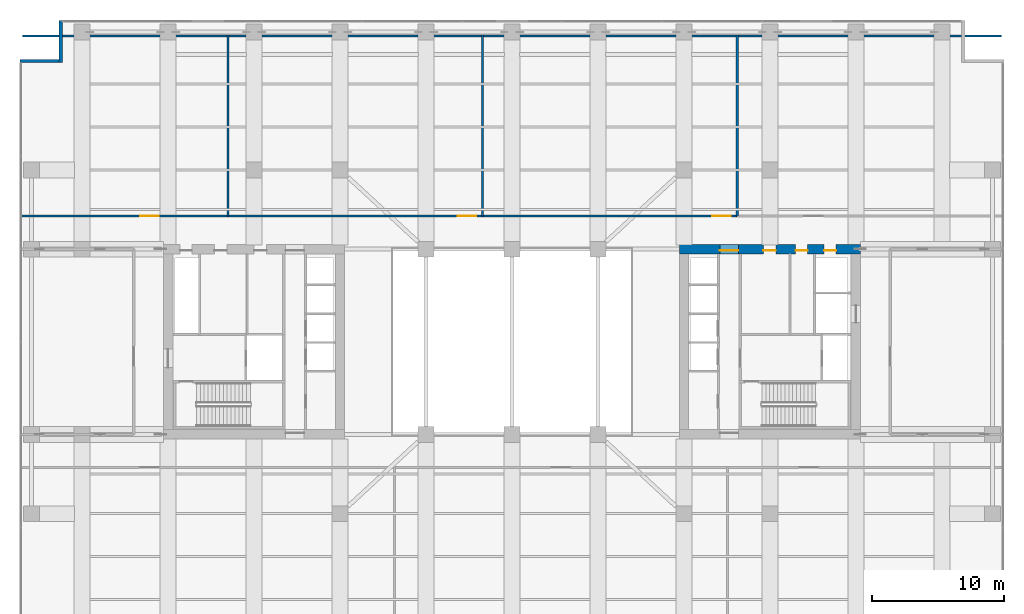
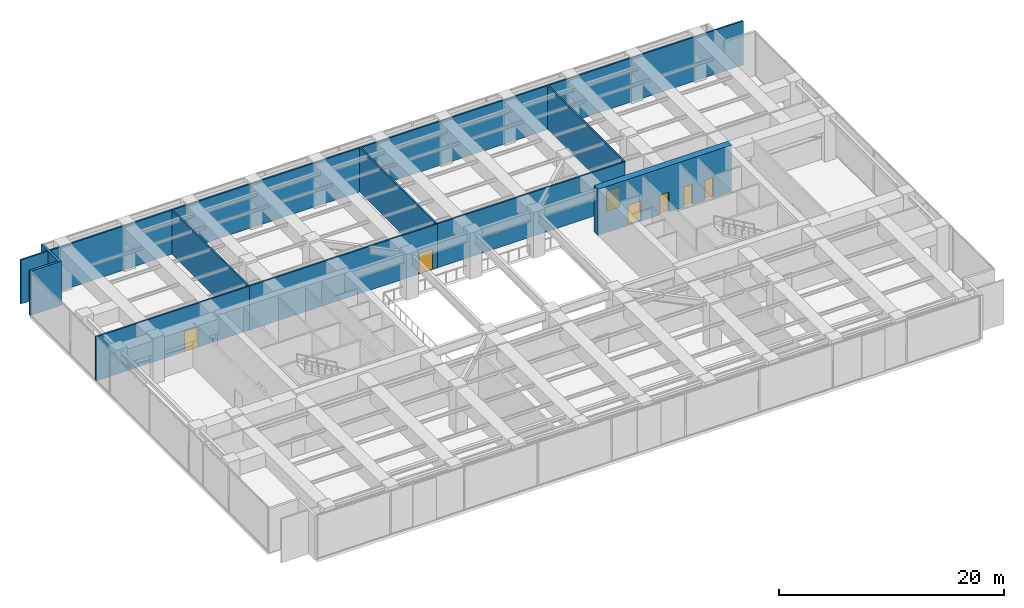
# One storey, part 23 of 28: 10 walls, 7 doors, 7 openings.
"""IFC4 building model written with IfcOpenShell, lengths in metres."""

from ifc_helpers import new_model, si_unit, direction, frame, frame_2d, origin, place, context, subcontext, project, spatial, rectangle, extrude, material, layer, layer_set, type_object, element, fill, save


model = new_model("IFC4")

# Units and contexts
model_context = context("Model", 3, precision=1e-05, world=origin(), true_north=direction((0.0, 1.0)))
body_context = subcontext(model_context, "Body", "Model", "MODEL_VIEW")
ifc_project = project(units=[si_unit("LENGTHUNIT", "METRE"), si_unit("AREAUNIT", "SQUARE_METRE"), si_unit("VOLUMEUNIT", "CUBIC_METRE"), si_unit("PLANEANGLEUNIT", "RADIAN"), si_unit("MASSUNIT", "GRAM", prefix="KILO")], contexts=[model_context])

# Site, building, storey
site_placement = place(None, origin())
site = spatial("IfcSite", under=ifc_project, at=site_placement, CompositionType="ELEMENT")
building_placement = place(site_placement, origin())
building = spatial("IfcBuilding", under=site, at=building_placement, Name="Putna Gate Headquarters", CompositionType="ELEMENT")
storey_placement = place(building_placement, frame((0.0, 0.0, 139.199951171875)))
storey = spatial("IfcBuildingStorey", under=building, at=storey_placement, Name="L34", CompositionType="ELEMENT", Elevation=139.199951171875)

# Wall, openings, doors
ifc_material_1 = material(Name="Concrete C60/75", Category="concrete")
ifc_layer_1 = layer(ifc_material_1, 0.699951171875)
ifc_layer_set_1 = layer_set([ifc_layer_1], Name="Concrete C60/75")
wall_type_1 = type_object("IfcWallType", Name="WALL-CORE-700", PredefinedType="SHEAR", material=ifc_layer_set_1)
wall_1_placement = place(storey_placement, frame((51.64990234375, 33.0, 0.0), z_axis=(0.0, 0.0, 1.0), x_axis=(1.0, 0.0, 0.0)))
wall_1 = element("IfcWall", 1, at=wall_1_placement, inside=storey, type_object=wall_type_1, Name="L34 EC Split Core Shear Wall N", PredefinedType="SHEAR", context=body_context, shape_type="SweptSolid", body=[
    extrude(rectangle(XDim=13.7001953125, YDim=0.699951171875, at=frame_2d((6.85009765625, 0.0))), origin(), (0.0, 0.0, 1.0), 5.0),
])
opening_1_placement = place(wall_1_placement, frame((3.070068359375, 0.0, 0.0)))
opening_1 = element("IfcOpeningElement", 2, at=opening_1_placement, cuts=wall_1, Name="Opening FDD-140", PredefinedType="OPENING", context=body_context, shape_type="SweptSolid", body=[
    extrude(rectangle(XDim=1.39990234375, YDim=2.199951171875, at=frame_2d((0.699951171875, 1.10009765625))), frame((0.0, 0.35986328125, 0.0), z_axis=(0.0, -1.0, 0.0), x_axis=(1.0, 0.0, 0.0)), (0.0, 0.0, 1.0), 0.719970703125),
])
opening_2_placement = place(wall_1_placement, frame((10.949951171875, 0.0, 0.0)))
opening_2 = element("IfcOpeningElement", 3, at=opening_2_placement, cuts=wall_1, Name="Opening RD-90", PredefinedType="OPENING", context=body_context, shape_type="SweptSolid", body=[
    extrude(rectangle(XDim=0.89990234375, YDim=2.14990234375, at=frame_2d((0.449951171875, 1.074951171875))), frame((0.0, 0.35986328125, 0.0), z_axis=(0.0, -1.0, 0.0), x_axis=(1.0, 0.0, 0.0)), (0.0, 0.0, 1.0), 0.719970703125),
])
opening_3_placement = place(wall_1_placement, frame((6.35009765625, 0.0, 0.0)))
opening_3 = element("IfcOpeningElement", 4, at=opening_3_placement, cuts=wall_1, Name="Opening IDS-95", PredefinedType="OPENING", context=body_context, shape_type="SweptSolid", body=[
    extrude(rectangle(XDim=0.949951171875, YDim=2.14990234375, at=frame_2d((0.47509765625, 1.074951171875))), frame((0.0, 0.35986328125, 0.0), z_axis=(0.0, -1.0, 0.0), x_axis=(1.0, 0.0, 0.0)), (0.0, 0.0, 1.0), 0.719970703125),
])
opening_4_placement = place(wall_1_placement, frame((8.800048828125, 0.0, 0.0)))
opening_4 = element("IfcOpeningElement", 5, at=opening_4_placement, cuts=wall_1, Name="Opening IDS-90", PredefinedType="OPENING", context=body_context, shape_type="SweptSolid", body=[
    extrude(rectangle(XDim=0.89990234375, YDim=2.14990234375, at=frame_2d((0.449951171875, 1.074951171875))), frame((0.0, 0.35986328125, 0.0), z_axis=(0.0, -1.0, 0.0), x_axis=(1.0, 0.0, 0.0)), (0.0, 0.0, 1.0), 0.719970703125),
])
ifc_material_2 = material(Name="Double steel fire door", Category="steel")
door_type_1 = type_object("IfcDoorType", Name="DOOR-FIRE-DBL-1400", OperationType="DOUBLE_DOOR_SINGLE_SWING", PredefinedType="DOOR", material=ifc_material_2)
door_1_placement = place(opening_1_placement, origin())
door_1 = element("IfcDoor", 6, at=door_1_placement, inside=storey, type_object=door_type_1, Name="L34 East Lift Lobby North Door", OperationType="DOUBLE_DOOR_SINGLE_SWING", OverallHeight=2.199951171875, OverallWidth=1.39990234375, PredefinedType="DOOR", context=body_context, shape_type="SweptSolid", body=[
    extrude(rectangle(XDim=1.39990234375, YDim=2.199951171875, at=frame_2d((0.699951171875, 1.10009765625))), frame((0.0, -0.0751953125, 0.0), z_axis=(0.0, -1.0, 0.0), x_axis=(1.0, 0.0, 0.0)), (0.0, 0.0, 1.0), 0.050048828125),
])
fill(opening_1, door_1)
ifc_material_3 = material(Name="Fire-rated utility door")
door_type_2 = type_object("IfcDoorType", Name="DOOR-INT-900", OperationType="NOTDEFINED", PredefinedType="DOOR", material=ifc_material_3)
door_2_placement = place(opening_4_placement, origin())
door_2 = element("IfcDoor", 7, at=door_2_placement, inside=storey, type_object=door_type_2, Name="L34 Electrical Plant Door", OperationType="SINGLE_SWING_LEFT", OverallHeight=2.14990234375, OverallWidth=0.89990234375, PredefinedType="DOOR", context=body_context, shape_type="SweptSolid", body=[
    extrude(rectangle(XDim=0.89990234375, YDim=2.14990234375, at=frame_2d((0.449951171875, 1.074951171875))), frame((0.0, -0.0751953125, 0.0), z_axis=(0.0, -1.0, 0.0), x_axis=(1.0, 0.0, 0.0)), (0.0, 0.0, 1.0), 0.050048828125),
])
fill(opening_4, door_2)
ifc_material_4 = material(Name="Fire-rated service timber door", Category="wood")
door_type_3 = type_object("IfcDoorType", Name="DOOR-INT-950", OperationType="NOTDEFINED", PredefinedType="DOOR", material=ifc_material_4)
door_3_placement = place(opening_3_placement, origin())
door_3 = element("IfcDoor", 8, at=door_3_placement, inside=storey, type_object=door_type_3, Name="L34 East Store Door", OperationType="SINGLE_SWING_RIGHT", OverallHeight=2.14990234375, OverallWidth=0.949951171875, PredefinedType="DOOR", context=body_context, shape_type="SweptSolid", body=[
    extrude(rectangle(XDim=0.949951171875, YDim=2.14990234375, at=frame_2d((0.47509765625, 1.074951171875))), frame((0.0, -0.0751953125, 0.0), z_axis=(0.0, -1.0, 0.0), x_axis=(1.0, 0.0, 0.0)), (0.0, 0.0, 1.0), 0.050048828125),
])
fill(opening_3, door_3)
ifc_material_5 = material(Name="Steel riser access fire door", Category="steel")
door_type_4 = type_object("IfcDoorType", Name="DOOR-RISER-900", OperationType="NOTDEFINED", PredefinedType="DOOR", material=ifc_material_5)
door_4_placement = place(opening_2_placement, origin())
door_4 = element("IfcDoor", 9, at=door_4_placement, inside=storey, type_object=door_type_4, Name="L34 East Riser Access Door", OperationType="SINGLE_SWING_LEFT", OverallHeight=2.14990234375, OverallWidth=0.89990234375, PredefinedType="DOOR", context=body_context, shape_type="SweptSolid", body=[
    extrude(rectangle(XDim=0.89990234375, YDim=2.14990234375, at=frame_2d((0.449951171875, 1.074951171875))), frame((0.0, -0.0751953125, 0.0), z_axis=(0.0, -1.0, 0.0), x_axis=(1.0, 0.0, 0.0)), (0.0, 0.0, 1.0), 0.050048828125),
])
fill(opening_2, door_4)

# Walls
ifc_material_6 = material(Name="Precast concrete C40/50", Category="concrete")
ifc_layer_2 = layer(ifc_material_6, 0.239990234375)
ifc_layer_set_2 = layer_set([ifc_layer_2], Name="Precast concrete C40/50")
wall_type_2 = type_object("IfcWallType", Name="WALL-EXT-TERR-240", PredefinedType="STANDARD", material=ifc_layer_set_2)
for number, where, z_axis, x_axis, name in (
    (10, (4.8798828125, 47.10009765625, 0.0), (0.0, 0.0, 1.0), (0.0, 1.0, 0.0), "L34 Corner Notch Return Wall NW-V"),
    (11, (1.800048828125, 47.219970703125, 0.0), (0.0, 0.0, 1.0), (1.0, 0.0, 0.0), "L34 Corner Notch Return Wall NW-H"),
):
    element("IfcWall", number, at=place(storey_placement, frame(where, z_axis=z_axis, x_axis=x_axis)), inside=storey, type_object=wall_type_2, Name=name, PredefinedType="STANDARD", context=body_context, shape_type="SweptSolid", body=[
        extrude(rectangle(XDim=3.199951171875, YDim=0.239990234375, at=frame_2d((1.60009765625, 0.0))), origin(), (0.0, 0.0, 1.0), 4.77197265625),
    ])
ifc_material_7 = material(Name="Concrete C40/50", Category="concrete")
ifc_layer_3 = layer(ifc_material_7, 0.159912109375)
ifc_layer_set_3 = layer_set([ifc_layer_3], Name="Concrete C40/50")
wall_type_3 = type_object("IfcWallType", Name="WALL-SHAFT-160", PredefinedType="STANDARD", material=ifc_layer_set_3)
wall_2_placement = place(storey_placement, frame((1.97998046875, 49.1298828125, 0.0), z_axis=(0.0, 0.0, 1.0), x_axis=(1.0, 0.0, 0.0)))
element("IfcWall", 12, at=wall_2_placement, inside=storey, type_object=wall_type_3, Name="L34 Interior Wall PART-L34-BELT-N", PredefinedType="STANDARD", context=body_context, shape_type="SweptSolid", body=[
    extrude(rectangle(XDim=74.0400390625, YDim=0.159912109375, at=frame_2d((37.02001953125, 0.0))), origin(), (0.0, 0.0, 1.0), 4.77197265625),
])
wall_3_placement = place(storey_placement, frame((17.5283203125, 35.5, 0.0), z_axis=(0.0, 0.0, 1.0), x_axis=(0.0, 1.0, 0.0)))
element("IfcWall", 13, at=wall_3_placement, inside=storey, type_object=wall_type_3, Name="L34 Interior Wall PART-L34-PN-DIV1", PredefinedType="STANDARD", context=body_context, shape_type="SweptSolid", body=[
    extrude(rectangle(XDim=13.7099609375, YDim=0.159912109375, at=frame_2d((6.85498046875, 0.0))), origin(), (0.0, 0.0, 1.0), 4.77197265625),
])

# Wall, opening, door
wall_4_placement = place(storey_placement, frame((1.820068359375, 35.5, 0.0), z_axis=(0.0, 0.0, 1.0), x_axis=(1.0, 0.0, 0.0)))
wall_4 = element("IfcWall", 14, at=wall_4_placement, inside=storey, type_object=wall_type_3, Name="L34 Interior Wall PART-L34-PN-CW1", PredefinedType="STANDARD", context=body_context, shape_type="SweptSolid", body=[
    extrude(rectangle(XDim=15.708251953125, YDim=0.159912109375, at=frame_2d((7.85400390625, 0.0))), origin(), (0.0, 0.0, 1.0), 4.77197265625),
])
opening_5_placement = place(wall_4_placement, frame((9.06005859375, 0.0, 0.0)))
opening_5 = element("IfcOpeningElement", 15, at=opening_5_placement, cuts=wall_4, Name="Opening FDD-140", PredefinedType="OPENING", context=body_context, shape_type="SweptSolid", body=[
    extrude(rectangle(XDim=1.39990234375, YDim=2.199951171875, at=frame_2d((0.699951171875, 1.10009765625))), frame((0.0, 0.08984375, 0.0), z_axis=(0.0, -1.0, 0.0), x_axis=(1.0, 0.0, 0.0)), (0.0, 0.0, 1.0), 0.179931640625),
])
door_5_placement = place(opening_5_placement, origin())
door_5 = element("IfcDoor", 16, at=door_5_placement, inside=storey, type_object=door_type_1, Name="L34 AHU Ventilation Plant Room Door", OperationType="DOUBLE_DOOR_SINGLE_SWING", OverallHeight=2.199951171875, OverallWidth=1.39990234375, PredefinedType="DOOR", context=body_context, shape_type="SweptSolid", body=[
    extrude(rectangle(XDim=1.39990234375, YDim=2.199951171875, at=frame_2d((0.699951171875, 1.10009765625))), frame((0.0, 0.02490234375, 0.0), z_axis=(0.0, -1.0, 0.0), x_axis=(1.0, 0.0, 0.0)), (0.0, 0.0, 1.0), 0.050048828125),
])
fill(opening_5, door_5)

# Wall
wall_5_placement = place(storey_placement, frame((36.77880859375, 35.5, 0.0), z_axis=(0.0, 0.0, 1.0), x_axis=(0.0, 1.0, 0.0)))
element("IfcWall", 17, at=wall_5_placement, inside=storey, type_object=wall_type_3, Name="L34 Interior Wall PART-L34-PN-DIV2", PredefinedType="STANDARD", context=body_context, shape_type="SweptSolid", body=[
    extrude(rectangle(XDim=13.7099609375, YDim=0.159912109375, at=frame_2d((6.85498046875, 0.0))), origin(), (0.0, 0.0, 1.0), 4.77197265625),
])

# Wall, opening, door
wall_6_placement = place(storey_placement, frame((17.5283203125, 35.5, 0.0), z_axis=(0.0, 0.0, 1.0), x_axis=(1.0, 0.0, 0.0)))
wall_6 = element("IfcWall", 18, at=wall_6_placement, inside=storey, type_object=wall_type_3, Name="L34 Interior Wall PART-L34-PN-CW2", PredefinedType="STANDARD", context=body_context, shape_type="SweptSolid", body=[
    extrude(rectangle(XDim=19.25048828125, YDim=0.159912109375, at=frame_2d((9.625244140625, 0.0))), origin(), (0.0, 0.0, 1.0), 4.77197265625),
])
opening_6_placement = place(wall_6_placement, frame((17.370361328125, 0.0, 0.0)))
opening_6 = element("IfcOpeningElement", 19, at=opening_6_placement, cuts=wall_6, Name="Opening FDD-140", PredefinedType="OPENING", context=body_context, shape_type="SweptSolid", body=[
    extrude(rectangle(XDim=1.39990234375, YDim=2.199951171875, at=frame_2d((0.699951171875, 1.10009765625))), frame((0.0, 0.08984375, 0.0), z_axis=(0.0, -1.0, 0.0), x_axis=(1.0, 0.0, 0.0)), (0.0, 0.0, 1.0), 0.179931640625),
])
door_6_placement = place(opening_6_placement, origin())
door_6 = element("IfcDoor", 20, at=door_6_placement, inside=storey, type_object=door_type_1, Name="L34 Chiller and Heat Exchanger Plant Room Door", OperationType="DOUBLE_DOOR_SINGLE_SWING", OverallHeight=2.199951171875, OverallWidth=1.39990234375, PredefinedType="DOOR", context=body_context, shape_type="SweptSolid", body=[
    extrude(rectangle(XDim=1.39990234375, YDim=2.199951171875, at=frame_2d((0.699951171875, 1.10009765625))), frame((0.0, 0.02490234375, 0.0), z_axis=(0.0, -1.0, 0.0), x_axis=(1.0, 0.0, 0.0)), (0.0, 0.0, 1.0), 0.050048828125),
])
fill(opening_6, door_6)

# Wall
wall_7_placement = place(storey_placement, frame((56.029296875, 35.5, 0.0), z_axis=(0.0, 0.0, 1.0), x_axis=(0.0, 1.0, 0.0)))
element("IfcWall", 21, at=wall_7_placement, inside=storey, type_object=wall_type_3, Name="L34 Interior Wall PART-L34-PN-DIV3", PredefinedType="STANDARD", context=body_context, shape_type="SweptSolid", body=[
    extrude(rectangle(XDim=13.7099609375, YDim=0.159912109375, at=frame_2d((6.85498046875, 0.0))), origin(), (0.0, 0.0, 1.0), 4.77197265625),
])

# Wall, opening, door
wall_8_placement = place(storey_placement, frame((36.77880859375, 35.5, 0.0), z_axis=(0.0, 0.0, 1.0), x_axis=(1.0, 0.0, 0.0)))
wall_8 = element("IfcWall", 22, at=wall_8_placement, inside=storey, type_object=wall_type_3, Name="L34 Interior Wall PART-L34-PN-CW3", PredefinedType="STANDARD", context=body_context, shape_type="SweptSolid", body=[
    extrude(rectangle(XDim=19.25048828125, YDim=0.159912109375, at=frame_2d((9.625244140625, 0.0))), origin(), (0.0, 0.0, 1.0), 4.77197265625),
])
opening_7_placement = place(wall_8_placement, frame((17.370361328125, 0.0, 0.0)))
opening_7 = element("IfcOpeningElement", 23, at=opening_7_placement, cuts=wall_8, Name="Opening FDD-140", PredefinedType="OPENING", context=body_context, shape_type="SweptSolid", body=[
    extrude(rectangle(XDim=1.39990234375, YDim=2.199951171875, at=frame_2d((0.699951171875, 1.10009765625))), frame((0.0, 0.08984375, 0.0), z_axis=(0.0, -1.0, 0.0), x_axis=(1.0, 0.0, 0.0)), (0.0, 0.0, 1.0), 0.179931640625),
])
door_7_placement = place(opening_7_placement, origin())
door_7 = element("IfcDoor", 24, at=door_7_placement, inside=storey, type_object=door_type_1, Name="L34 HV and LV Switchgear Plant Room Door", OperationType="DOUBLE_DOOR_SINGLE_SWING", OverallHeight=2.199951171875, OverallWidth=1.39990234375, PredefinedType="DOOR", context=body_context, shape_type="SweptSolid", body=[
    extrude(rectangle(XDim=1.39990234375, YDim=2.199951171875, at=frame_2d((0.699951171875, 1.10009765625))), frame((0.0, 0.02490234375, 0.0), z_axis=(0.0, -1.0, 0.0), x_axis=(1.0, 0.0, 0.0)), (0.0, 0.0, 1.0), 0.050048828125),
])
fill(opening_7, door_7)

save(model, "model.ifc")
